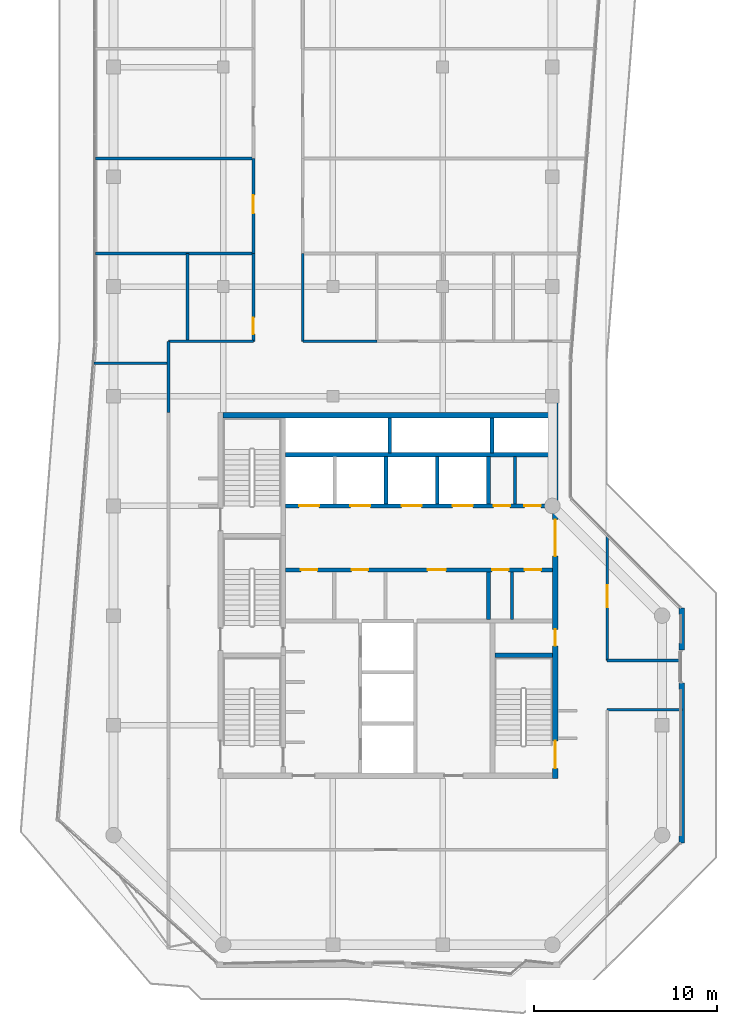
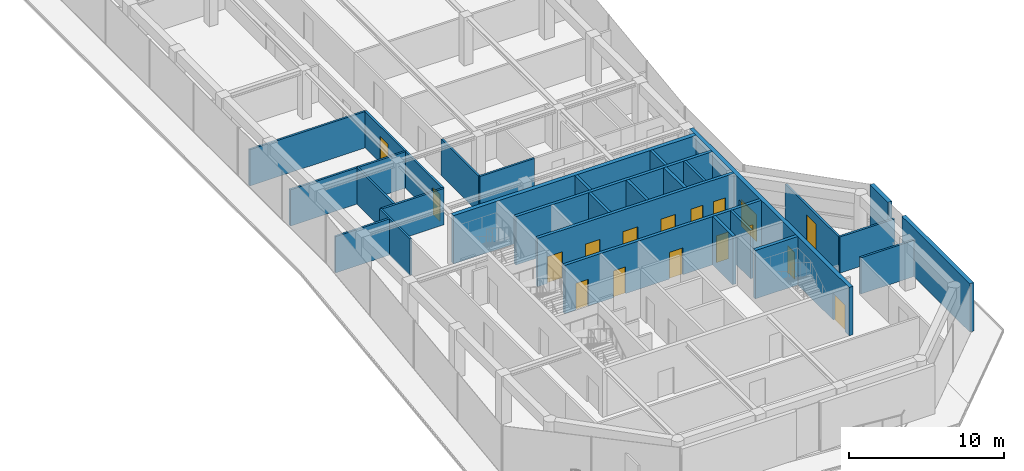
# One storey, part 18 of 22: 29 walls, 17 doors, 17 openings.
"""IFC4 building model written with IfcOpenShell, lengths in metres."""

from ifc_helpers import new_model, si_unit, direction, frame, frame_2d, origin, place, context, subcontext, project, spatial, rectangle, extrude, material, layer, layer_set, type_object, element, fill, save


model = new_model("IFC4")

# Units and contexts
model_context = context("Model", 3, precision=1e-05, world=origin(), true_north=direction((0.0, 1.0)))
body_context = subcontext(model_context, "Body", "Model", "MODEL_VIEW")
ifc_project = project(units=[si_unit("LENGTHUNIT", "METRE"), si_unit("AREAUNIT", "SQUARE_METRE"), si_unit("VOLUMEUNIT", "CUBIC_METRE"), si_unit("PLANEANGLEUNIT", "RADIAN"), si_unit("MASSUNIT", "GRAM", prefix="KILO")], contexts=[model_context])

# Site, building, storey
site_placement = place(None, origin())
site = spatial("IfcSite", under=ifc_project, at=site_placement, CompositionType="ELEMENT")
building_placement = place(site_placement, origin())
building = spatial("IfcBuilding", under=site, at=building_placement, Name="Welwitschia Terrace Campus", CompositionType="ELEMENT")
storey_placement = place(building_placement, frame((0.0, 0.0, 268.39990234375)))
storey = spatial("IfcBuildingStorey", under=building, at=storey_placement, Name="L59", CompositionType="ELEMENT", Elevation=268.39990234375)

# Walls
ifc_material_1 = material(Name="Concrete C32/40", Category="concrete")
ifc_layer_1 = layer(ifc_material_1, 0.175048828125)
ifc_layer_set_1 = layer_set([ifc_layer_1], Name="Concrete C32/40")
wall_type_1 = type_object("IfcWallType", Name="Core partition 175 Concrete C32/40", PredefinedType="PARTITIONING", material=ifc_layer_set_1)
for number, where, z_axis, x_axis, name in (
    (1, (21.7900390625, 13.800048828125, 0.0), (0.0, 0.0, 1.0), (0.0, 1.0, 0.0), "Core partition"),
    (2, (21.9599609375, 20.10009765625, 0.0), (0.0, 0.0, 1.0), (0.0, 1.0, 0.0), "Core partition"),
):
    element("IfcWall", number, at=place(storey_placement, frame(where, z_axis=z_axis, x_axis=x_axis)), inside=storey, type_object=wall_type_1, Name=name, PredefinedType="PARTITIONING", context=body_context, shape_type="SweptSolid", body=[
        extrude(rectangle(XDim=2.599853515625, YDim=0.175048828125, at=frame_2d((1.2998046875, 0.0))), origin(), (0.0, 0.0, 1.0), 3.800048828125),
    ])

# Wall, openings, doors
ifc_material_2 = material(Name="Concrete C32/40", Category="concrete")
ifc_layer_2 = layer(ifc_material_2, 0.22509765625)
ifc_layer_set_2 = layer_set([ifc_layer_2], Name="Concrete C32/40")
wall_type_2 = type_object("IfcWallType", Name="Core partition 225 Concrete C32/40", PredefinedType="PARTITIONING", material=ifc_layer_set_2)
wall_1_placement = place(storey_placement, frame((9.39990234375, 16.5, 0.0), z_axis=(0.0, 0.0, 1.0), x_axis=(1.0, 0.0, 0.0)))
wall_1 = element("IfcWall", 3, at=wall_1_placement, inside=storey, type_object=wall_type_2, Name="Core partition", PredefinedType="PARTITIONING", context=body_context, shape_type="SweptSolid", body=[
    extrude(rectangle(XDim=14.60009765625, YDim=0.22509765625, at=frame_2d((7.300048828125, 0.0))), origin(), (0.0, 0.0, 1.0), 3.800048828125),
])
opening_1_placement = place(wall_1_placement, frame((0.85009765625, 0.0, 0.0)))
opening_1 = element("IfcOpeningElement", 4, at=opening_1_placement, cuts=wall_1, Name="Opening DR09", PredefinedType="OPENING", context=body_context, shape_type="SweptSolid", body=[
    extrude(rectangle(XDim=0.89990234375, YDim=2.10009765625, at=frame_2d((0.449951171875, 1.050048828125))), frame((0.0, 0.12255859375, 0.0), z_axis=(0.0, -1.0, 0.0), x_axis=(1.0, 0.0, 0.0)), (0.0, 0.0, 1.0), 0.2451171875),
])
opening_2_placement = place(wall_1_placement, frame((3.625, 0.0, 0.0)))
opening_2 = element("IfcOpeningElement", 5, at=opening_2_placement, cuts=wall_1, Name="Opening DR09", PredefinedType="OPENING", context=body_context, shape_type="SweptSolid", body=[
    extrude(rectangle(XDim=0.89990234375, YDim=2.10009765625, at=frame_2d((0.449951171875, 1.050048828125))), frame((0.0, 0.12255859375, 0.0), z_axis=(0.0, -1.0, 0.0), x_axis=(1.0, 0.0, 0.0)), (0.0, 0.0, 1.0), 0.2451171875),
])
opening_3_placement = place(wall_1_placement, frame((7.77490234375, 0.0, 0.0)))
opening_3 = element("IfcOpeningElement", 6, at=opening_3_placement, cuts=wall_1, Name="Opening DR10", PredefinedType="OPENING", context=body_context, shape_type="SweptSolid", body=[
    extrude(rectangle(XDim=1.0, YDim=2.10009765625, at=frame_2d((0.5, 1.050048828125))), frame((0.0, 0.12255859375, 0.0), z_axis=(0.0, -1.0, 0.0), x_axis=(1.0, 0.0, 0.0)), (0.0, 0.0, 1.0), 0.2451171875),
])
opening_4_placement = place(wall_1_placement, frame((11.3076171875, 0.0, 0.0)))
opening_4 = element("IfcOpeningElement", 7, at=opening_4_placement, cuts=wall_1, Name="Opening DR09", PredefinedType="OPENING", context=body_context, shape_type="SweptSolid", body=[
    extrude(rectangle(XDim=0.89990234375, YDim=2.10009765625, at=frame_2d((0.449951171875, 1.050048828125))), frame((0.0, 0.12255859375, 0.0), z_axis=(0.0, -1.0, 0.0), x_axis=(1.0, 0.0, 0.0)), (0.0, 0.0, 1.0), 0.2451171875),
])
opening_5_placement = place(wall_1_placement, frame((13.08251953125, 0.0, 0.0)))
opening_5 = element("IfcOpeningElement", 8, at=opening_5_placement, cuts=wall_1, Name="Opening DR09", PredefinedType="OPENING", context=body_context, shape_type="SweptSolid", body=[
    extrude(rectangle(XDim=0.89990234375, YDim=2.10009765625, at=frame_2d((0.449951171875, 1.050048828125))), frame((0.0, 0.12255859375, 0.0), z_axis=(0.0, -1.0, 0.0), x_axis=(1.0, 0.0, 0.0)), (0.0, 0.0, 1.0), 0.2451171875),
])
ifc_material_3 = material(Name="Steel S275", Category="steel")
door_type_1 = type_object("IfcDoorType", Name="Core door DR09", OperationType="SINGLE_SWING_LEFT", PredefinedType="DOOR", material=ifc_material_3)
door_1_placement = place(opening_1_placement, origin())
door_1 = element("IfcDoor", 9, at=door_1_placement, inside=storey, type_object=door_type_1, Name="Door BAYL1-D", OperationType="SINGLE_SWING_LEFT", OverallHeight=2.10009765625, OverallWidth=0.89990234375, PredefinedType="DOOR", context=body_context, shape_type="SweptSolid", body=[
    extrude(rectangle(XDim=0.89990234375, YDim=2.10009765625, at=frame_2d((0.449951171875, 1.050048828125))), frame((0.0, 0.02490234375, 0.0), z_axis=(0.0, -1.0, 0.0), x_axis=(1.0, 0.0, 0.0)), (0.0, 0.0, 1.0), 0.050048828125),
])
fill(opening_1, door_1)
door_2_placement = place(opening_2_placement, origin())
door_2 = element("IfcDoor", 10, at=door_2_placement, inside=storey, type_object=door_type_1, Name="Door BAYL2-D", OperationType="SINGLE_SWING_LEFT", OverallHeight=2.10009765625, OverallWidth=0.89990234375, PredefinedType="DOOR", context=body_context, shape_type="SweptSolid", body=[
    extrude(rectangle(XDim=0.89990234375, YDim=2.10009765625, at=frame_2d((0.449951171875, 1.050048828125))), frame((0.0, 0.02490234375, 0.0), z_axis=(0.0, -1.0, 0.0), x_axis=(1.0, 0.0, 0.0)), (0.0, 0.0, 1.0), 0.050048828125),
])
fill(opening_2, door_2)
door_3_placement = place(opening_4_placement, origin())
door_3 = element("IfcDoor", 11, at=door_3_placement, inside=storey, type_object=door_type_1, Name="Door EL1-D", OperationType="SINGLE_SWING_RIGHT", OverallHeight=2.10009765625, OverallWidth=0.89990234375, PredefinedType="DOOR", context=body_context, shape_type="SweptSolid", body=[
    extrude(rectangle(XDim=0.89990234375, YDim=2.10009765625, at=frame_2d((0.449951171875, 1.050048828125))), frame((0.0, 0.02490234375, 0.0), z_axis=(0.0, -1.0, 0.0), x_axis=(1.0, 0.0, 0.0)), (0.0, 0.0, 1.0), 0.050048828125),
])
fill(opening_4, door_3)
door_4_placement = place(opening_5_placement, origin())
door_4 = element("IfcDoor", 12, at=door_4_placement, inside=storey, type_object=door_type_1, Name="Door EL2-D", OperationType="SINGLE_SWING_RIGHT", OverallHeight=2.10009765625, OverallWidth=0.89990234375, PredefinedType="DOOR", context=body_context, shape_type="SweptSolid", body=[
    extrude(rectangle(XDim=0.89990234375, YDim=2.10009765625, at=frame_2d((0.449951171875, 1.050048828125))), frame((0.0, 0.02490234375, 0.0), z_axis=(0.0, -1.0, 0.0), x_axis=(1.0, 0.0, 0.0)), (0.0, 0.0, 1.0), 0.050048828125),
])
fill(opening_5, door_4)
ifc_material_4 = material(Name="Steel S275", Category="steel")
door_type_2 = type_object("IfcDoorType", Name="Core door DR10", OperationType="SINGLE_SWING_LEFT", PredefinedType="DOOR", material=ifc_material_4)
door_5_placement = place(opening_3_placement, origin())
door_5 = element("IfcDoor", 13, at=door_5_placement, inside=storey, type_object=door_type_2, Name="Door BAYL3-D", OperationType="SINGLE_SWING_RIGHT", OverallHeight=2.10009765625, OverallWidth=1.0, PredefinedType="DOOR", context=body_context, shape_type="SweptSolid", body=[
    extrude(rectangle(XDim=1.0, YDim=2.10009765625, at=frame_2d((0.5, 1.050048828125))), frame((0.0, 0.02490234375, 0.0), z_axis=(0.0, -1.0, 0.0), x_axis=(1.0, 0.0, 0.0)), (0.0, 0.0, 1.0), 0.050048828125),
])
fill(opening_3, door_5)

wall_2_placement = place(storey_placement, frame((24.0, 20.0, 0.0), z_axis=(0.0, 0.0, 1.0), x_axis=(-1.0, 0.0, 0.0)))
wall_2 = element("IfcWall", 14, at=wall_2_placement, inside=storey, type_object=wall_type_2, Name="Shaft wall", PredefinedType="PARTITIONING", context=body_context, shape_type="SweptSolid", body=[
    extrude(rectangle(XDim=14.60009765625, YDim=0.22509765625, at=frame_2d((7.300048828125, 0.0))), origin(), (0.0, 0.0, 1.0), 3.800048828125),
])
opening_6_placement = place(wall_2_placement, frame((12.75, 0.0, 0.0)))
opening_6 = element("IfcOpeningElement", 15, at=opening_6_placement, cuts=wall_2, Name="Opening LD", PredefinedType="OPENING", context=body_context, shape_type="SweptSolid", body=[
    extrude(rectangle(XDim=1.10009765625, YDim=2.10009765625, at=frame_2d((0.550048828125, 1.050048828125))), frame((0.0, 0.12255859375, 0.0), z_axis=(0.0, -1.0, 0.0), x_axis=(1.0, 0.0, 0.0)), (0.0, 0.0, 1.0), 0.2451171875),
])
opening_7_placement = place(wall_2_placement, frame((9.949951171875, 0.0, 0.0)))
opening_7 = element("IfcOpeningElement", 16, at=opening_7_placement, cuts=wall_2, Name="Opening LD", PredefinedType="OPENING", context=body_context, shape_type="SweptSolid", body=[
    extrude(rectangle(XDim=1.10009765625, YDim=2.10009765625, at=frame_2d((0.550048828125, 1.050048828125))), frame((0.0, 0.12255859375, 0.0), z_axis=(0.0, -1.0, 0.0), x_axis=(1.0, 0.0, 0.0)), (0.0, 0.0, 1.0), 0.2451171875),
])
opening_8_placement = place(wall_2_placement, frame((7.14990234375, 0.0, 0.0)))
opening_8 = element("IfcOpeningElement", 17, at=opening_8_placement, cuts=wall_2, Name="Opening LD", PredefinedType="OPENING", context=body_context, shape_type="SweptSolid", body=[
    extrude(rectangle(XDim=1.10009765625, YDim=2.10009765625, at=frame_2d((0.550048828125, 1.050048828125))), frame((0.0, 0.12255859375, 0.0), z_axis=(0.0, -1.0, 0.0), x_axis=(1.0, 0.0, 0.0)), (0.0, 0.0, 1.0), 0.2451171875),
])
opening_9_placement = place(wall_2_placement, frame((4.35009765625, 0.0, 0.0)))
opening_9 = element("IfcOpeningElement", 18, at=opening_9_placement, cuts=wall_2, Name="Opening LD", PredefinedType="OPENING", context=body_context, shape_type="SweptSolid", body=[
    extrude(rectangle(XDim=1.10009765625, YDim=2.10009765625, at=frame_2d((0.550048828125, 1.050048828125))), frame((0.0, 0.12255859375, 0.0), z_axis=(0.0, -1.0, 0.0), x_axis=(1.0, 0.0, 0.0)), (0.0, 0.0, 1.0), 0.2451171875),
])
opening_10_placement = place(wall_2_placement, frame((2.3076171875, 0.0, 0.0)))
opening_10 = element("IfcOpeningElement", 19, at=opening_10_placement, cuts=wall_2, Name="Opening DR09", PredefinedType="OPENING", context=body_context, shape_type="SweptSolid", body=[
    extrude(rectangle(XDim=0.89990234375, YDim=2.10009765625, at=frame_2d((0.449951171875, 1.050048828125))), frame((0.0, 0.12255859375, 0.0), z_axis=(0.0, -1.0, 0.0), x_axis=(1.0, 0.0, 0.0)), (0.0, 0.0, 1.0), 0.2451171875),
])
opening_11_placement = place(wall_2_placement, frame((0.633056640625, 0.0, 0.0)))
opening_11 = element("IfcOpeningElement", 20, at=opening_11_placement, cuts=wall_2, Name="Opening DR09", PredefinedType="OPENING", context=body_context, shape_type="SweptSolid", body=[
    extrude(rectangle(XDim=0.89990234375, YDim=2.10009765625, at=frame_2d((0.449951171875, 1.050048828125))), frame((0.0, 0.12255859375, 0.0), z_axis=(0.0, -1.0, 0.0), x_axis=(1.0, 0.0, 0.0)), (0.0, 0.0, 1.0), 0.2451171875),
])
door_6_placement = place(opening_10_placement, origin())
door_6 = element("IfcDoor", 21, at=door_6_placement, inside=storey, type_object=door_type_1, Name="Door EH1-D", OperationType="SINGLE_SWING_LEFT", OverallHeight=2.10009765625, OverallWidth=0.89990234375, PredefinedType="DOOR", context=body_context, shape_type="SweptSolid", body=[
    extrude(rectangle(XDim=0.89990234375, YDim=2.10009765625, at=frame_2d((0.449951171875, 1.050048828125))), frame((0.0, 0.02490234375, 0.0), z_axis=(0.0, -1.0, 0.0), x_axis=(1.0, 0.0, 0.0)), (0.0, 0.0, 1.0), 0.050048828125),
])
fill(opening_10, door_6)
door_7_placement = place(opening_11_placement, origin())
door_7 = element("IfcDoor", 22, at=door_7_placement, inside=storey, type_object=door_type_1, Name="Door EH2-D", OperationType="SINGLE_SWING_LEFT", OverallHeight=2.10009765625, OverallWidth=0.89990234375, PredefinedType="DOOR", context=body_context, shape_type="SweptSolid", body=[
    extrude(rectangle(XDim=0.89990234375, YDim=2.10009765625, at=frame_2d((0.449951171875, 1.050048828125))), frame((0.0, 0.02490234375, 0.0), z_axis=(0.0, -1.0, 0.0), x_axis=(1.0, 0.0, 0.0)), (0.0, 0.0, 1.0), 0.050048828125),
])
fill(opening_11, door_7)
ifc_material_5 = material(Name="Stainless steel 304", Category="steel")
door_type_3 = type_object("IfcDoorType", Name="Lift landing door", OperationType="DOUBLE_DOOR_SLIDING", PredefinedType="DOOR", material=ifc_material_5)
door_8_placement = place(opening_6_placement, origin())
door_8 = element("IfcDoor", 23, at=door_8_placement, inside=storey, type_object=door_type_3, Name="Landing door HR1", OperationType="DOUBLE_DOOR_SLIDING", OverallHeight=2.10009765625, OverallWidth=1.10009765625, PredefinedType="DOOR", context=body_context, shape_type="SweptSolid", body=[
    extrude(rectangle(XDim=1.10009765625, YDim=2.10009765625, at=frame_2d((0.550048828125, 1.050048828125))), frame((0.0, 0.02490234375, 0.0), z_axis=(0.0, -1.0, 0.0), x_axis=(1.0, 0.0, 0.0)), (0.0, 0.0, 1.0), 0.050048828125),
])
fill(opening_6, door_8)
door_9_placement = place(opening_7_placement, origin())
door_9 = element("IfcDoor", 24, at=door_9_placement, inside=storey, type_object=door_type_3, Name="Landing door HR2", OperationType="DOUBLE_DOOR_SLIDING", OverallHeight=2.10009765625, OverallWidth=1.10009765625, PredefinedType="DOOR", context=body_context, shape_type="SweptSolid", body=[
    extrude(rectangle(XDim=1.10009765625, YDim=2.10009765625, at=frame_2d((0.550048828125, 1.050048828125))), frame((0.0, 0.02490234375, 0.0), z_axis=(0.0, -1.0, 0.0), x_axis=(1.0, 0.0, 0.0)), (0.0, 0.0, 1.0), 0.050048828125),
])
fill(opening_7, door_9)
door_10_placement = place(opening_8_placement, origin())
door_10 = element("IfcDoor", 25, at=door_10_placement, inside=storey, type_object=door_type_3, Name="Landing door HR3", OperationType="DOUBLE_DOOR_SLIDING", OverallHeight=2.10009765625, OverallWidth=1.10009765625, PredefinedType="DOOR", context=body_context, shape_type="SweptSolid", body=[
    extrude(rectangle(XDim=1.10009765625, YDim=2.10009765625, at=frame_2d((0.550048828125, 1.050048828125))), frame((0.0, 0.02490234375, 0.0), z_axis=(0.0, -1.0, 0.0), x_axis=(1.0, 0.0, 0.0)), (0.0, 0.0, 1.0), 0.050048828125),
])
fill(opening_8, door_10)
door_11_placement = place(opening_9_placement, origin())
door_11 = element("IfcDoor", 26, at=door_11_placement, inside=storey, type_object=door_type_3, Name="Landing door HR4", OperationType="DOUBLE_DOOR_SLIDING", OverallHeight=2.10009765625, OverallWidth=1.10009765625, PredefinedType="DOOR", context=body_context, shape_type="SweptSolid", body=[
    extrude(rectangle(XDim=1.10009765625, YDim=2.10009765625, at=frame_2d((0.550048828125, 1.050048828125))), frame((0.0, 0.02490234375, 0.0), z_axis=(0.0, -1.0, 0.0), x_axis=(1.0, 0.0, 0.0)), (0.0, 0.0, 1.0), 0.050048828125),
])
fill(opening_9, door_11)

# Walls
wall_3_placement = place(storey_placement, frame((9.39990234375, 22.800048828125, 0.0), z_axis=(0.0, 0.0, 1.0), x_axis=(1.0, 0.0, 0.0)))
element("IfcWall", 27, at=wall_3_placement, inside=storey, type_object=wall_type_2, Name="Shaft wall", PredefinedType="PARTITIONING", context=body_context, shape_type="SweptSolid", body=[
    extrude(rectangle(XDim=14.60009765625, YDim=0.22509765625, at=frame_2d((7.300048828125, 0.0))), origin(), (0.0, 0.0, 1.0), 3.800048828125),
])
for number, where, z_axis, x_axis, name in (
    (28, (20.5, 13.800048828125, 0.0), (0.0, 0.0, 1.0), (0.0, 1.0, 0.0), "Core partition"),
    (29, (20.5, 20.10009765625, 0.0), (0.0, 0.0, 1.0), (0.0, 1.0, 0.0), "Shaft wall"),
):
    element("IfcWall", number, at=place(storey_placement, frame(where, z_axis=z_axis, x_axis=x_axis)), inside=storey, type_object=wall_type_2, Name=name, PredefinedType="PARTITIONING", context=body_context, shape_type="SweptSolid", body=[
        extrude(rectangle(XDim=2.599853515625, YDim=0.22509765625, at=frame_2d((1.2998046875, 0.0))), origin(), (0.0, 0.0, 1.0), 3.800048828125),
    ])
ifc_material_6 = material(Name="Concrete C50/60", Category="concrete")
ifc_layer_3 = layer(ifc_material_6, 0.199951171875)
ifc_layer_set_3 = layer_set([ifc_layer_3], Name="Concrete C50/60")
wall_type_3 = type_object("IfcWallType", Name="Core wall 200 Concrete C50/60", PredefinedType="SHEAR", material=ifc_layer_set_3)
for number, where, z_axis, x_axis, name in (
    (30, (15.10009765625, 22.89990234375, 0.0), (0.0, 0.0, 1.0), (0.0, 1.0, 0.0), "Core wall"),
    (31, (20.699951171875, 22.89990234375, 0.0), (0.0, 0.0, 1.0), (0.0, 1.0, 0.0), "Core wall"),
):
    element("IfcWall", number, at=place(storey_placement, frame(where, z_axis=z_axis, x_axis=x_axis)), inside=storey, type_object=wall_type_3, Name=name, PredefinedType="SHEAR", context=body_context, shape_type="SweptSolid", body=[
        extrude(rectangle(XDim=1.900146484375, YDim=0.199951171875, at=frame_2d((0.9501953125, 0.0))), origin(), (0.0, 0.0, 1.0), 3.800048828125),
    ])
ifc_material_7 = material(Name="Concrete C50/60", Category="concrete")
ifc_layer_4 = layer(ifc_material_7, 0.25)
ifc_layer_set_4 = layer_set([ifc_layer_4], Name="Concrete C50/60")
wall_type_4 = type_object("IfcWallType", Name="Core wall 250 Concrete C50/60", PredefinedType="SHEAR", material=ifc_layer_set_4)
wall_4_placement = place(storey_placement, frame((20.85009765625, 11.824951171875, 0.0), z_axis=(0.0, 0.0, 1.0), x_axis=(1.0, 0.0, 0.0)))
element("IfcWall", 32, at=wall_4_placement, inside=storey, type_object=wall_type_4, Name="Core wall", PredefinedType="SHEAR", context=body_context, shape_type="SweptSolid", body=[
    extrude(rectangle(XDim=3.14990234375, YDim=0.25, at=frame_2d((1.574951171875, 0.0))), origin(), (0.0, 0.0, 1.0), 3.800048828125),
])

# Wall, openings, doors
ifc_material_8 = material(Name="Concrete C50/60", Category="concrete")
ifc_layer_5 = layer(ifc_material_8, 0.300048828125)
ifc_layer_set_5 = layer_set([ifc_layer_5], Name="Concrete C50/60")
wall_type_5 = type_object("IfcWallType", Name="Core wall 300 Concrete C50/60", PredefinedType="SHEAR", material=ifc_layer_set_5)
wall_5_placement = place(storey_placement, frame((24.14990234375, 25.655029296875, 0.0), z_axis=(0.0, 0.0, 1.0), x_axis=(0.0, -1.0, 0.0)))
wall_5 = element("IfcWall", 33, at=wall_5_placement, inside=storey, type_object=wall_type_5, Name="Core outer wall", PredefinedType="SHEAR", context=body_context, shape_type="SweptSolid", body=[
    extrude(rectangle(XDim=20.554931640625, YDim=0.300048828125, at=frame_2d((10.27734375, 0.0))), origin(), (0.0, 0.0, 1.0), 3.800048828125),
])
opening_12_placement = place(wall_5_placement, frame((18.5048828125, 0.0, 0.0)))
opening_12 = element("IfcOpeningElement", 34, at=opening_12_placement, cuts=wall_5, Name="Opening DS15", PredefinedType="OPENING", context=body_context, shape_type="SweptSolid", body=[
    extrude(rectangle(XDim=1.5, YDim=2.10009765625, at=frame_2d((0.75, 1.050048828125))), frame((0.0, 0.159912109375, 0.0), z_axis=(0.0, -1.0, 0.0), x_axis=(1.0, 0.0, 0.0)), (0.0, 0.0, 1.0), 0.320068359375),
])
opening_13_placement = place(wall_5_placement, frame((12.405029296875, 0.0, 0.0)))
opening_13 = element("IfcOpeningElement", 35, at=opening_13_placement, cuts=wall_5, Name="Opening DR09", PredefinedType="OPENING", context=body_context, shape_type="SweptSolid", body=[
    extrude(rectangle(XDim=0.89990234375, YDim=2.10009765625, at=frame_2d((0.449951171875, 1.050048828125))), frame((0.0, 0.159912109375, 0.0), z_axis=(0.0, -1.0, 0.0), x_axis=(1.0, 0.0, 0.0)), (0.0, 0.0, 1.0), 0.320068359375),
])
opening_14_placement = place(wall_5_placement, frame((6.405029296875, 0.0, 0.0)))
opening_14 = element("IfcOpeningElement", 36, at=opening_14_placement, cuts=wall_5, Name="Opening DL20", PredefinedType="OPENING", context=body_context, shape_type="SweptSolid", body=[
    extrude(rectangle(XDim=2.0, YDim=2.10009765625, at=frame_2d((1.0, 1.050048828125))), frame((0.0, 0.159912109375, 0.0), z_axis=(0.0, -1.0, 0.0), x_axis=(1.0, 0.0, 0.0)), (0.0, 0.0, 1.0), 0.320068359375),
])
ifc_material_9 = material(Name="Steel S275", Category="steel")
door_type_4 = type_object("IfcDoorType", Name="Core door DL20", OperationType="DOUBLE_DOOR_SINGLE_SWING", PredefinedType="DOOR", material=ifc_material_9)
door_12_placement = place(opening_14_placement, origin())
door_12 = element("IfcDoor", 37, at=door_12_placement, inside=storey, type_object=door_type_4, Name="Door LOBBY-out", OperationType="DOUBLE_DOOR_SINGLE_SWING", OverallHeight=2.10009765625, OverallWidth=2.0, PredefinedType="DOOR", context=body_context, shape_type="SweptSolid", body=[
    extrude(rectangle(XDim=2.0, YDim=2.10009765625, at=frame_2d((1.0, 1.050048828125))), frame((0.0, 0.02490234375, 0.0), z_axis=(0.0, -1.0, 0.0), x_axis=(1.0, 0.0, 0.0)), (0.0, 0.0, 1.0), 0.050048828125),
])
fill(opening_14, door_12)
door_13_placement = place(opening_13_placement, origin())
door_13 = element("IfcDoor", 38, at=door_13_placement, inside=storey, type_object=door_type_1, Name="Door F1B-out", OperationType="SINGLE_SWING_RIGHT", OverallHeight=2.10009765625, OverallWidth=0.89990234375, PredefinedType="DOOR", context=body_context, shape_type="SweptSolid", body=[
    extrude(rectangle(XDim=0.89990234375, YDim=2.10009765625, at=frame_2d((0.449951171875, 1.050048828125))), frame((0.0, 0.02490234375, 0.0), z_axis=(0.0, -1.0, 0.0), x_axis=(1.0, 0.0, 0.0)), (0.0, 0.0, 1.0), 0.050048828125),
])
fill(opening_13, door_13)
ifc_material_10 = material(Name="Steel S275", Category="steel")
door_type_5 = type_object("IfcDoorType", Name="Core door DS15", OperationType="DOUBLE_DOOR_SINGLE_SWING", PredefinedType="DOOR", material=ifc_material_10)
door_14_placement = place(opening_12_placement, origin())
door_14 = element("IfcDoor", 39, at=door_14_placement, inside=storey, type_object=door_type_5, Name="Door S2-out", OperationType="DOUBLE_DOOR_SINGLE_SWING", OverallHeight=2.10009765625, OverallWidth=1.5, PredefinedType="DOOR", context=body_context, shape_type="SweptSolid", body=[
    extrude(rectangle(XDim=1.5, YDim=2.10009765625, at=frame_2d((0.75, 1.050048828125))), frame((0.0, 0.02490234375, 0.0), z_axis=(0.0, -1.0, 0.0), x_axis=(1.0, 0.0, 0.0)), (0.0, 0.0, 1.0), 0.050048828125),
])
fill(opening_12, door_14)

# Walls
wall_6_placement = place(storey_placement, frame((6.0, 24.949951171875, 0.0), z_axis=(0.0, 0.0, 1.0), x_axis=(1.0, 0.0, 0.0)))
element("IfcWall", 40, at=wall_6_placement, inside=storey, type_object=wall_type_5, Name="Core outer wall", PredefinedType="SHEAR", context=body_context, shape_type="SweptSolid", body=[
    extrude(rectangle(XDim=18.0, YDim=0.300048828125, at=frame_2d((9.0, 0.0))), origin(), (0.0, 0.0, 1.0), 3.800048828125),
])
ifc_material_11 = material(Name="Gypsum board on steel studs", Category="steel")
ifc_layer_6 = layer(ifc_material_11, 0.14990234375)
ifc_layer_set_6 = layer_set([ifc_layer_6], Name="Gypsum board on steel studs")
wall_type_6 = type_object("IfcWallType", Name="Corridor partition 150 EI 30", PredefinedType="PARTITIONING", material=ifc_layer_set_6)
wall_7_placement = place(storey_placement, frame((-1.070068359375, 27.800048828125, 0.0), z_axis=(0.0, 0.0, 1.0), x_axis=(1.0, 0.0, 0.0)))
element("IfcWall", 41, at=wall_7_placement, inside=storey, type_object=wall_type_6, Name="Partition", PredefinedType="PARTITIONING", context=body_context, shape_type="SweptSolid", body=[
    extrude(rectangle(XDim=4.070068359375, YDim=0.14990234375, at=frame_2d((2.03515625, 0.0))), origin(), (0.0, 0.0, 1.0), 2.85009765625),
])
for number, where, z_axis, x_axis, name in (
    (42, (-0.97998046875, 33.800048828125, 0.0), (0.0, 0.0, 1.0), (1.0, 0.0, 0.0), "Partition"),
    (43, (-0.97998046875, 39.0, 0.0), (0.0, 0.0, 1.0), (1.0, 0.0, 0.0), "Partition"),
):
    element("IfcWall", number, at=place(storey_placement, frame(where, z_axis=z_axis, x_axis=x_axis)), inside=storey, type_object=wall_type_6, Name=name, PredefinedType="PARTITIONING", context=body_context, shape_type="SweptSolid", body=[
        extrude(rectangle(XDim=8.6298828125, YDim=0.14990234375, at=frame_2d((4.31494140625, 0.0))), origin(), (0.0, 0.0, 1.0), 2.85009765625),
    ])
wall_8_placement = place(storey_placement, frame((3.0, 25.10009765625, 0.0), z_axis=(0.0, 0.0, 1.0), x_axis=(0.0, 1.0, 0.0)))
element("IfcWall", 44, at=wall_8_placement, inside=storey, type_object=wall_type_6, Name="Partition", PredefinedType="PARTITIONING", context=body_context, shape_type="SweptSolid", body=[
    extrude(rectangle(XDim=3.89990234375, YDim=0.14990234375, at=frame_2d((1.949951171875, 0.0))), origin(), (0.0, 0.0, 1.0), 2.85009765625),
])
wall_9_placement = place(storey_placement, frame((3.0, 29.0, 0.0), z_axis=(0.0, 0.0, 1.0), x_axis=(1.0, 0.0, 0.0)))
element("IfcWall", 45, at=wall_9_placement, inside=storey, type_object=wall_type_6, Name="Partition", PredefinedType="PARTITIONING", context=body_context, shape_type="SweptSolid", body=[
    extrude(rectangle(XDim=4.64990234375, YDim=0.14990234375, at=frame_2d((2.324951171875, 0.0))), origin(), (0.0, 0.0, 1.0), 2.85009765625),
])
wall_10_placement = place(storey_placement, frame((4.050048828125, 29.0, 0.0), z_axis=(0.0, 0.0, 1.0), x_axis=(0.0, 1.0, 0.0)))
element("IfcWall", 46, at=wall_10_placement, inside=storey, type_object=wall_type_6, Name="Partition", PredefinedType="PARTITIONING", context=body_context, shape_type="SweptSolid", body=[
    extrude(rectangle(XDim=4.800048828125, YDim=0.14990234375, at=frame_2d((2.39990234375, 0.0))), origin(), (0.0, 0.0, 1.0), 2.85009765625),
])

# Wall, opening, door
wall_11_placement = place(storey_placement, frame((7.64990234375, 29.0, 0.0), z_axis=(0.0, 0.0, 1.0), x_axis=(0.0, 1.0, 0.0)))
wall_11 = element("IfcWall", 47, at=wall_11_placement, inside=storey, type_object=wall_type_6, Name="Partition", PredefinedType="PARTITIONING", context=body_context, shape_type="SweptSolid", body=[
    extrude(rectangle(XDim=4.800048828125, YDim=0.14990234375, at=frame_2d((2.39990234375, 0.0))), origin(), (0.0, 0.0, 1.0), 2.85009765625),
])
opening_15_placement = place(wall_11_placement, frame((0.39990234375, 0.0, 0.0)))
opening_15 = element("IfcOpeningElement", 48, at=opening_15_placement, cuts=wall_11, Name="Opening DI09", PredefinedType="OPENING", context=body_context, shape_type="SweptSolid", body=[
    extrude(rectangle(XDim=0.89990234375, YDim=2.10009765625, at=frame_2d((0.449951171875, 1.050048828125))), frame((0.0, 0.0849609375, 0.0), z_axis=(0.0, -1.0, 0.0), x_axis=(1.0, 0.0, 0.0)), (0.0, 0.0, 1.0), 0.169921875),
])
ifc_material_12 = material(Name="Timber veneered door", Category="wood")
door_type_6 = type_object("IfcDoorType", Name="Interior door DI09", OperationType="NOTDEFINED", PredefinedType="DOOR", material=ifc_material_12)
door_15_placement = place(opening_15_placement, origin())
door_15 = element("IfcDoor", 49, at=door_15_placement, inside=storey, type_object=door_type_6, Name="Door L59 1057", OperationType="SINGLE_SWING_RIGHT", OverallHeight=2.10009765625, OverallWidth=0.89990234375, PredefinedType="DOOR", context=body_context, shape_type="SweptSolid", body=[
    extrude(rectangle(XDim=0.89990234375, YDim=2.10009765625, at=frame_2d((0.449951171875, 1.050048828125))), frame((0.0, 0.02490234375, 0.0), z_axis=(0.0, -1.0, 0.0), x_axis=(1.0, 0.0, 0.0)), (0.0, 0.0, 1.0), 0.050048828125),
])
fill(opening_15, door_15)

wall_12_placement = place(storey_placement, frame((7.64990234375, 33.800048828125, 0.0), z_axis=(0.0, 0.0, 1.0), x_axis=(0.0, 1.0, 0.0)))
wall_12 = element("IfcWall", 50, at=wall_12_placement, inside=storey, type_object=wall_type_6, Name="Partition", PredefinedType="PARTITIONING", context=body_context, shape_type="SweptSolid", body=[
    extrude(rectangle(XDim=5.199951171875, YDim=0.14990234375, at=frame_2d((2.60009765625, 0.0))), origin(), (0.0, 0.0, 1.0), 2.85009765625),
])
opening_16_placement = place(wall_12_placement, frame((2.199951171875, 0.0, 0.0)))
opening_16 = element("IfcOpeningElement", 51, at=opening_16_placement, cuts=wall_12, Name="Opening DI10", PredefinedType="OPENING", context=body_context, shape_type="SweptSolid", body=[
    extrude(rectangle(XDim=1.0, YDim=2.10009765625, at=frame_2d((0.5, 1.050048828125))), frame((0.0, 0.0849609375, 0.0), z_axis=(0.0, -1.0, 0.0), x_axis=(1.0, 0.0, 0.0)), (0.0, 0.0, 1.0), 0.169921875),
])
ifc_material_13 = material(Name="Timber veneered door", Category="wood")
door_type_7 = type_object("IfcDoorType", Name="Interior door DI10", OperationType="NOTDEFINED", PredefinedType="DOOR", material=ifc_material_13)
door_16_placement = place(opening_16_placement, origin())
door_16 = element("IfcDoor", 52, at=door_16_placement, inside=storey, type_object=door_type_7, Name="Door L59 1058", OperationType="SINGLE_SWING_LEFT", OverallHeight=2.10009765625, OverallWidth=1.0, PredefinedType="DOOR", context=body_context, shape_type="SweptSolid", body=[
    extrude(rectangle(XDim=1.0, YDim=2.10009765625, at=frame_2d((0.5, 1.050048828125))), frame((0.0, 0.02490234375, 0.0), z_axis=(0.0, -1.0, 0.0), x_axis=(1.0, 0.0, 0.0)), (0.0, 0.0, 1.0), 0.050048828125),
])
fill(opening_16, door_16)

# Walls
wall_13_placement = place(storey_placement, frame((10.35009765625, 29.0, 0.0), z_axis=(0.0, 0.0, 1.0), x_axis=(0.0, 1.0, 0.0)))
element("IfcWall", 53, at=wall_13_placement, inside=storey, type_object=wall_type_6, Name="Partition", PredefinedType="PARTITIONING", context=body_context, shape_type="SweptSolid", body=[
    extrude(rectangle(XDim=4.800048828125, YDim=0.14990234375, at=frame_2d((2.39990234375, 0.0))), origin(), (0.0, 0.0, 1.0), 2.85009765625),
])
wall_14_placement = place(storey_placement, frame((10.35009765625, 29.0, 0.0), z_axis=(0.0, 0.0, 1.0), x_axis=(1.0, 0.0, 0.0)))
element("IfcWall", 54, at=wall_14_placement, inside=storey, type_object=wall_type_6, Name="Partition", PredefinedType="PARTITIONING", context=body_context, shape_type="SweptSolid", body=[
    extrude(rectangle(XDim=4.0498046875, YDim=0.14990234375, at=frame_2d((2.02490234375, 0.0))), origin(), (0.0, 0.0, 1.0), 2.85009765625),
])
wall_15_placement = place(storey_placement, frame((27.0, 8.85009765625, 0.0), z_axis=(0.0, 0.0, 1.0), x_axis=(1.0, 0.0, 0.0)))
element("IfcWall", 55, at=wall_15_placement, inside=storey, type_object=wall_type_6, Name="Partition", PredefinedType="PARTITIONING", context=body_context, shape_type="SweptSolid", body=[
    extrude(rectangle(XDim=4.090087890625, YDim=0.14990234375, at=frame_2d((2.044921875, 0.0))), origin(), (0.0, 0.0, 1.0), 2.85009765625),
])

# Wall, opening, door
wall_16_placement = place(storey_placement, frame((27.0, 11.550048828125, 0.0), z_axis=(0.0, 0.0, 1.0), x_axis=(0.0, 1.0, 0.0)))
wall_16 = element("IfcWall", 56, at=wall_16_placement, inside=storey, type_object=wall_type_6, Name="Partition", PredefinedType="PARTITIONING", context=body_context, shape_type="SweptSolid", body=[
    extrude(rectangle(XDim=6.829833984375, YDim=0.14990234375, at=frame_2d((3.4150390625, 0.0))), origin(), (0.0, 0.0, 1.0), 2.85009765625),
])
opening_17_placement = place(wall_16_placement, frame((2.89990234375, 0.0, 0.0)))
opening_17 = element("IfcOpeningElement", 57, at=opening_17_placement, cuts=wall_16, Name="Opening DI12", PredefinedType="OPENING", context=body_context, shape_type="SweptSolid", body=[
    extrude(rectangle(XDim=1.199951171875, YDim=2.10009765625, at=frame_2d((0.60009765625, 1.050048828125))), frame((0.0, 0.0849609375, 0.0), z_axis=(0.0, -1.0, 0.0), x_axis=(1.0, 0.0, 0.0)), (0.0, 0.0, 1.0), 0.169921875),
])
ifc_material_14 = material(Name="Timber veneered door", Category="wood")
door_type_8 = type_object("IfcDoorType", Name="Interior door DI12", OperationType="NOTDEFINED", PredefinedType="DOOR", material=ifc_material_14)
door_17_placement = place(opening_17_placement, origin())
door_17 = element("IfcDoor", 58, at=door_17_placement, inside=storey, type_object=door_type_8, Name="Door L59 1071", OperationType="SINGLE_SWING_RIGHT", OverallHeight=2.10009765625, OverallWidth=1.199951171875, PredefinedType="DOOR", context=body_context, shape_type="SweptSolid", body=[
    extrude(rectangle(XDim=1.199951171875, YDim=2.10009765625, at=frame_2d((0.60009765625, 1.050048828125))), frame((0.0, 0.02490234375, 0.0), z_axis=(0.0, -1.0, 0.0), x_axis=(1.0, 0.0, 0.0)), (0.0, 0.0, 1.0), 0.050048828125),
])
fill(opening_17, door_17)

# Walls
wall_17_placement = place(storey_placement, frame((27.0, 11.550048828125, 0.0), z_axis=(0.0, 0.0, 1.0), x_axis=(1.0, 0.0, 0.0)))
element("IfcWall", 59, at=wall_17_placement, inside=storey, type_object=wall_type_6, Name="Partition", PredefinedType="PARTITIONING", context=body_context, shape_type="SweptSolid", body=[
    extrude(rectangle(XDim=4.090087890625, YDim=0.14990234375, at=frame_2d((2.044921875, 0.0))), origin(), (0.0, 0.0, 1.0), 2.85009765625),
])
ifc_material_15 = material(Name="Concrete C40/50", Category="concrete")
ifc_layer_7 = layer(ifc_material_15, 0.300048828125)
ifc_layer_set_7 = layer_set([ifc_layer_7], Name="Concrete C40/50")
wall_type_7 = type_object("IfcWallType", Name="Mass wall 300", PredefinedType="SOLIDWALL", material=ifc_layer_set_7)
wall_18_placement = place(storey_placement, frame((31.07958984375, 1.573486328125, 0.0), z_axis=(0.0, 0.0, 1.0), x_axis=(0.0, 1.0, 0.0)))
element("IfcWall", 60, at=wall_18_placement, inside=storey, type_object=wall_type_7, Name="Mass wall L59.5.0", PredefinedType="SOLIDWALL", context=body_context, shape_type="SweptSolid", body=[
    extrude(rectangle(XDim=8.73974609375, YDim=0.300048828125, at=frame_2d((4.369873046875, 0.0))), origin(), (0.0, 0.0, 1.0), 3.800048828125),
])
wall_19_placement = place(storey_placement, frame((31.07958984375, 12.11328125, 0.0), z_axis=(0.0, 0.0, 1.0), x_axis=(0.0, 1.0, 0.0)))
element("IfcWall", 61, at=wall_19_placement, inside=storey, type_object=wall_type_7, Name="Mass wall L59.5.1", PredefinedType="SOLIDWALL", context=body_context, shape_type="SweptSolid", body=[
    extrude(rectangle(XDim=2.313232421875, YDim=0.300048828125, at=frame_2d((1.15673828125, 0.0))), origin(), (0.0, 0.0, 1.0), 3.800048828125),
])
ifc_material_16 = material(Name="Concrete C32/40", Category="concrete")
ifc_layer_8 = layer(ifc_material_16, 0.199951171875)
ifc_layer_set_8 = layer_set([ifc_layer_8], Name="Concrete C32/40")
wall_type_8 = type_object("IfcWallType", Name="Shaft wall 200 Concrete C32/40", PredefinedType="SOLIDWALL", material=ifc_layer_set_8)
for number, where, z_axis, x_axis, name in (
    (62, (14.89990234375, 20.10009765625, 0.0), (0.0, 0.0, 1.0), (0.0, 1.0, 0.0), "Shaft wall"),
    (63, (17.699951171875, 20.10009765625, 0.0), (0.0, 0.0, 1.0), (0.0, 1.0, 0.0), "Shaft wall"),
):
    element("IfcWall", number, at=place(storey_placement, frame(where, z_axis=z_axis, x_axis=x_axis)), inside=storey, type_object=wall_type_8, Name=name, PredefinedType="SOLIDWALL", context=body_context, shape_type="SweptSolid", body=[
        extrude(rectangle(XDim=2.599853515625, YDim=0.199951171875, at=frame_2d((1.2998046875, 0.0))), origin(), (0.0, 0.0, 1.0), 3.800048828125),
    ])

save(model, "model.ifc")
